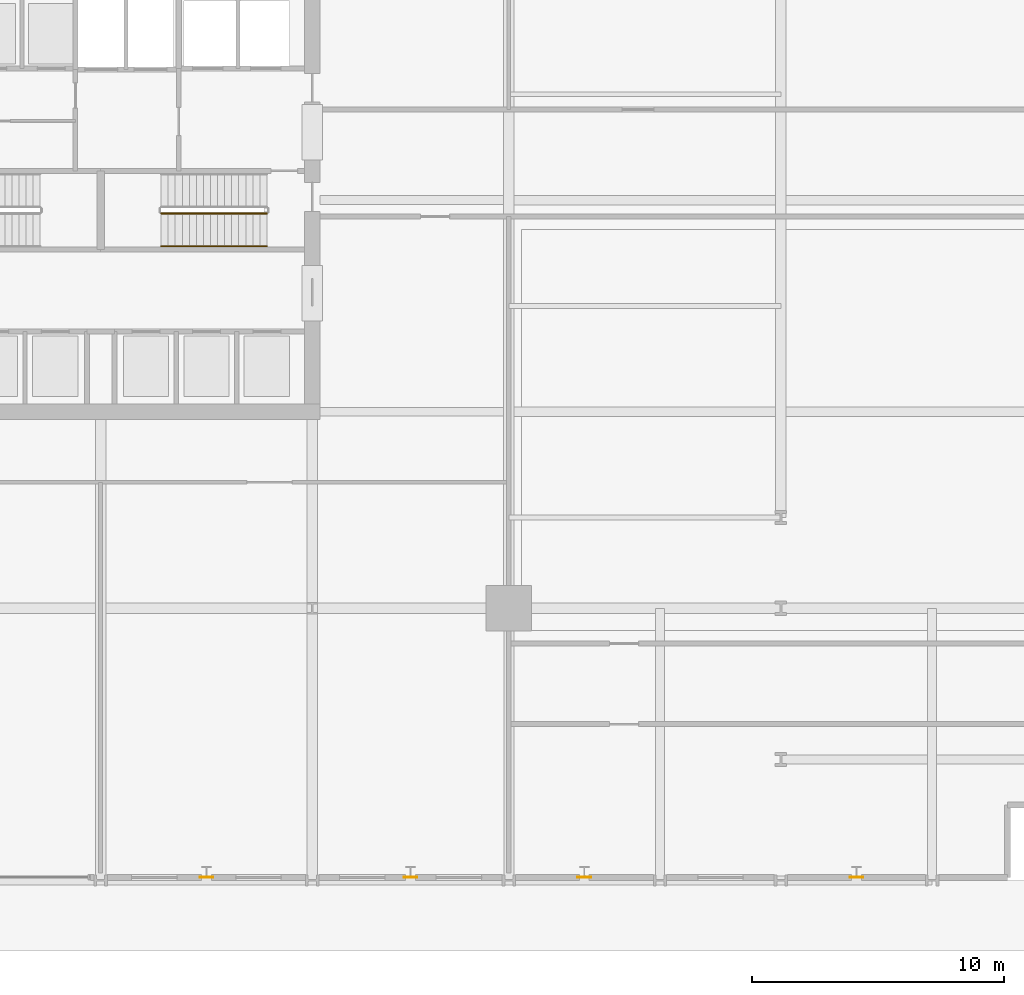
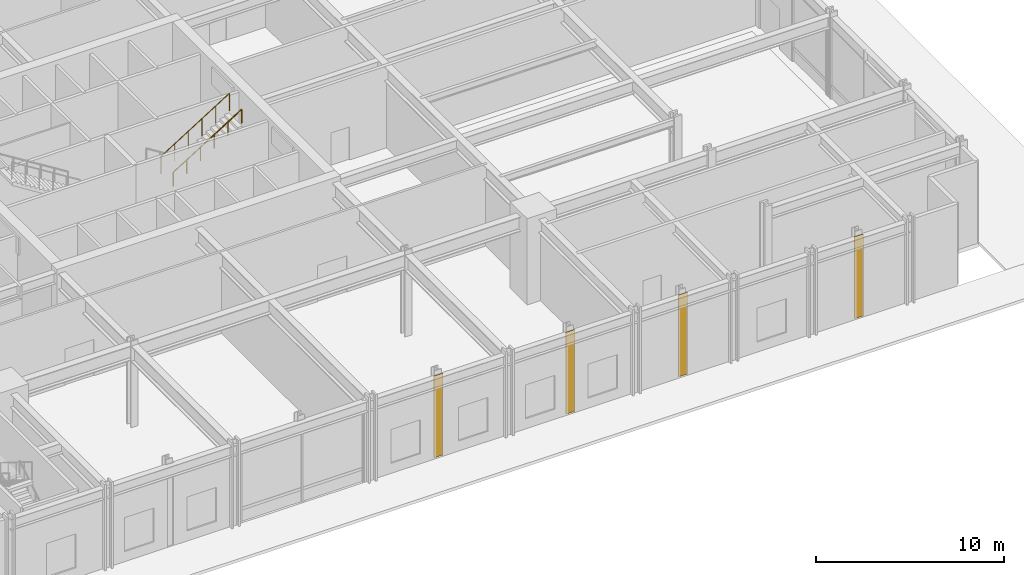
# One storey, part 17 of 21: 4 coverings, 2 railings.
"""IFC4 building model written with IfcOpenShell, lengths in metres."""

from ifc_helpers import new_model, si_unit, direction, frame, origin, origin_2d, place, context, subcontext, project, spatial, rectangle, circle, extrude, material, layer, layer_set, type_object, element, save


model = new_model("IFC4")

# Units and contexts
model_context = context("Model", 3, precision=1e-05, world=origin(), true_north=direction((0.0, 1.0)))
body_context = subcontext(model_context, "Body", "Model", "MODEL_VIEW")
ifc_project = project(units=[si_unit("LENGTHUNIT", "METRE"), si_unit("AREAUNIT", "SQUARE_METRE"), si_unit("VOLUMEUNIT", "CUBIC_METRE"), si_unit("PLANEANGLEUNIT", "RADIAN"), si_unit("MASSUNIT", "GRAM", prefix="KILO")], contexts=[model_context])

# Site, building, storey
site_placement = place(None, origin())
site = spatial("IfcSite", under=ifc_project, at=site_placement, CompositionType="ELEMENT")
building_placement = place(site_placement, origin())
building = spatial("IfcBuilding", under=site, at=building_placement, Name="Drelvath Grand Hotel", CompositionType="ELEMENT")
storey_placement = place(building_placement, origin())
storey = spatial("IfcBuildingStorey", under=building, at=storey_placement, Name="L00", CompositionType="ELEMENT", Elevation=0.0)

# Coverings
ifc_material_1 = material(Name="Warm Bronze Anodised Aluminium Cladding", Category="aluminium")
ifc_layer = layer(ifc_material_1, 0.034912109375)
ifc_layer_set = layer_set([ifc_layer], Name="Warm Bronze Anodised Aluminium Cladding")
covering_type = type_object("IfcCoveringType", Name="Bronze Anodised Pier Cladding Panel 35", PredefinedType="CLADDING", material=ifc_layer_set)
for number, where, z_axis, x_axis, name in (
    (1, (4.199951171875, 0.1201171875, 0.0), (0.0, 0.0, 1.0), (1.0, 0.0, 0.0), "L00 Colonnade Bronze Pier Cladding S3"),
    (2, (12.300048828125, 0.1201171875, 0.0), (0.0, 0.0, 1.0), (1.0, 0.0, 0.0), "L00 Colonnade Bronze Pier Cladding S4"),
    (3, (19.199951171875, 0.1201171875, 0.0), (0.0, 0.0, 1.0), (1.0, 0.0, 0.0), "L00 Colonnade Bronze Pier Cladding S5"),
    (4, (30.0, 0.1201171875, 0.0), (0.0, 0.0, 1.0), (1.0, 0.0, 0.0), "L00 Colonnade Bronze Pier Cladding S6"),
):
    element("IfcCovering", number, at=place(storey_placement, frame(where, z_axis=z_axis, x_axis=x_axis)), inside=storey, type_object=covering_type, Name=name, PredefinedType="CLADDING", context=body_context, shape_type="SweptSolid", body=[
        extrude(rectangle(XDim=0.550048828125, YDim=0.034912109375, at=origin_2d()), origin(), (0.0, 0.0, 1.0), 5.300048828125),
    ])

# Railings
ifc_material_2 = material(Name="Painted Steel S275", Category="steel")
railing_type_1 = type_object("IfcRailingType", Name="Core Stair Wall Handrail 900", PredefinedType="HANDRAIL", material=ifc_material_2)
railing_1_placement = place(storey_placement, frame((2.39990234375, 25.169921875, 2.97509765625)))
element("IfcRailing", 5, at=railing_1_placement, inside=storey, type_object=railing_type_1, Name="L00 ST-2 stair handrail 2", PredefinedType="HANDRAIL", context=body_context, shape_type="SweptSolid", body=[
    extrude(circle(Radius=0.02392578125, at=origin_2d()), frame((0.0, 0.0, 0.8759765625), z_axis=(0.848009380541, 0.0, 0.529981217134), x_axis=(0.0, 1.0, 0.0)), (0.0, 0.0, 1.0), 4.953125),
    extrude(circle(Radius=0.02099609375, at=origin_2d()), origin(), (0.0, 0.0, 1.0), 0.851806640625),
    extrude(circle(Radius=0.02099609375, at=origin_2d()), frame((0.840087890625, 0.0, 0.52490234375)), (0.0, 0.0, 1.0), 0.851806640625),
    extrude(circle(Radius=0.02099609375, at=origin_2d()), frame((1.68017578125, 0.0, 1.050048828125)), (0.0, 0.0, 1.0), 0.851806640625),
    extrude(circle(Radius=0.02099609375, at=origin_2d()), frame((2.52001953125, 0.0, 1.574951171875)), (0.0, 0.0, 1.0), 0.851806640625),
    extrude(circle(Radius=0.02099609375, at=origin_2d()), frame((3.360107421875, 0.0, 2.10009765625)), (0.0, 0.0, 1.0), 0.851806640625),
    extrude(circle(Radius=0.02099609375, at=origin_2d()), frame((4.2001953125, 0.0, 2.625)), (0.0, 0.0, 1.0), 0.851806640625),
])
railing_type_2 = type_object("IfcRailingType", Name="Core Stair Well Guardrail 1100", PredefinedType="GUARDRAIL", material=ifc_material_2)
railing_2_placement = place(storey_placement, frame((2.39990234375, 26.469970703125, 2.97509765625)))
element("IfcRailing", 6, at=railing_2_placement, inside=storey, type_object=railing_type_2, Name="L00 ST-2 stair guard 3", PredefinedType="GUARDRAIL", context=body_context, shape_type="SweptSolid", body=[
    extrude(circle(Radius=0.02392578125, at=origin_2d()), frame((0.0, 0.0, 1.1259765625), z_axis=(0.848009380541, 0.0, 0.529981217134), x_axis=(0.0, 1.0, 0.0)), (0.0, 0.0, 1.0), 4.953125),
    extrude(circle(Radius=0.02099609375, at=origin_2d()), origin(), (0.0, 0.0, 1.0), 1.101806640625),
    extrude(circle(Radius=0.02099609375, at=origin_2d()), frame((0.840087890625, 0.0, 0.52490234375)), (0.0, 0.0, 1.0), 1.101806640625),
    extrude(circle(Radius=0.02099609375, at=origin_2d()), frame((1.68017578125, 0.0, 1.050048828125)), (0.0, 0.0, 1.0), 1.101806640625),
    extrude(circle(Radius=0.02099609375, at=origin_2d()), frame((2.52001953125, 0.0, 1.574951171875)), (0.0, 0.0, 1.0), 1.101806640625),
    extrude(circle(Radius=0.02099609375, at=origin_2d()), frame((3.360107421875, 0.0, 2.10009765625)), (0.0, 0.0, 1.0), 1.101806640625),
    extrude(circle(Radius=0.02099609375, at=origin_2d()), frame((4.2001953125, 0.0, 2.625)), (0.0, 0.0, 1.0), 1.101806640625),
])

save(model, "model.ifc")
